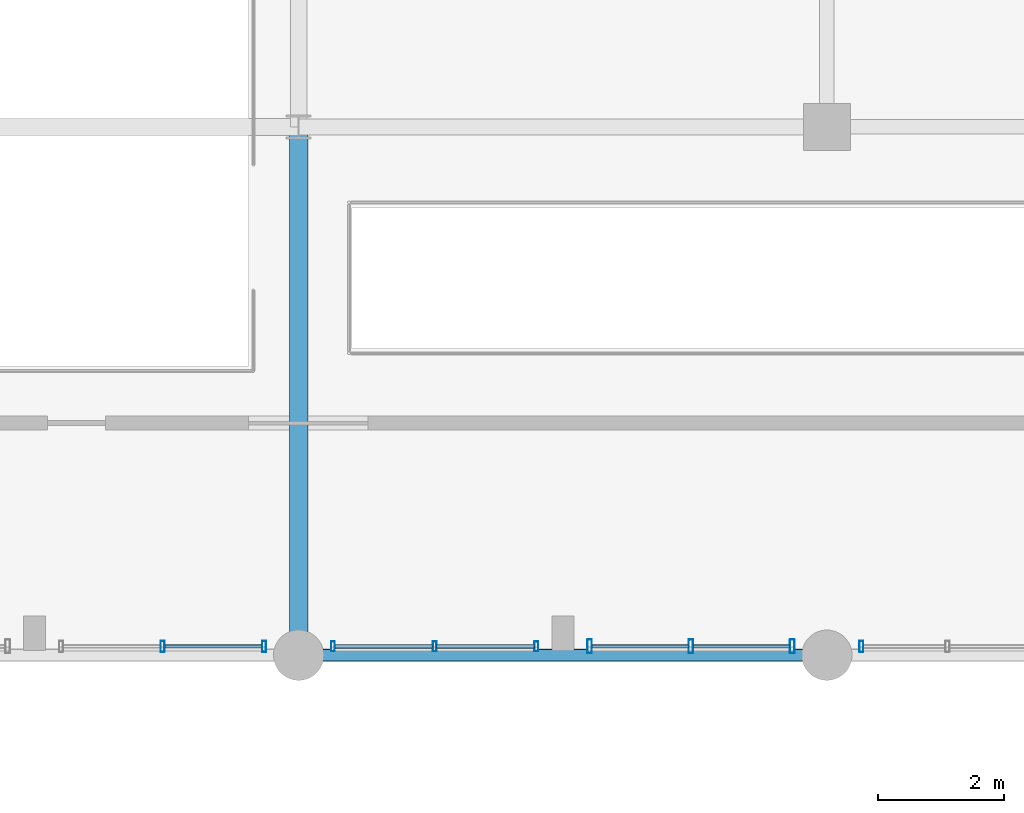
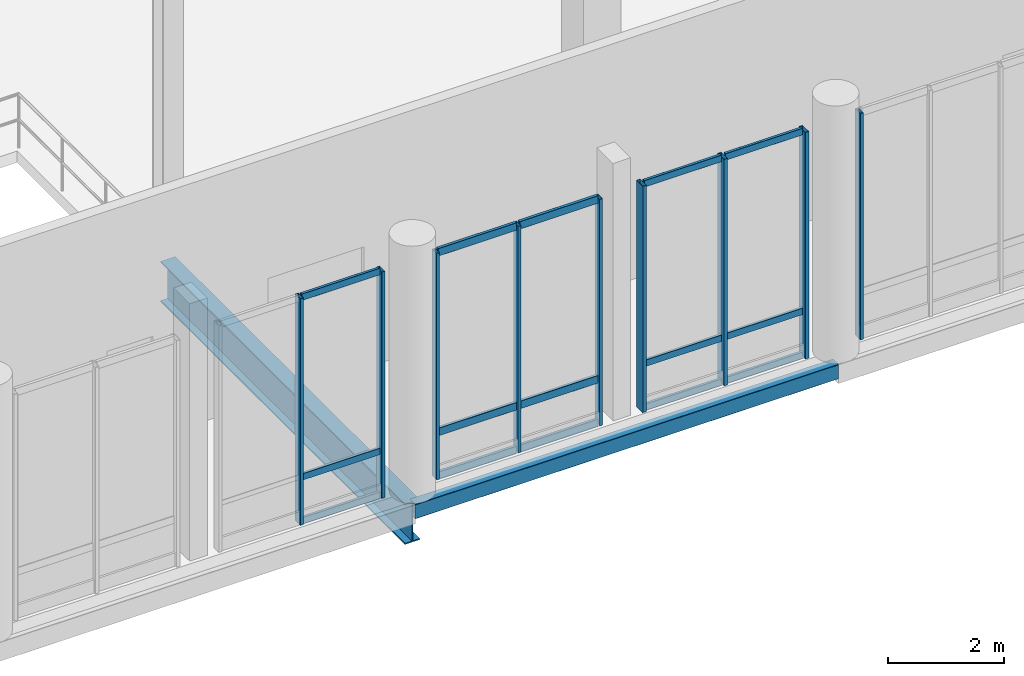
# One storey, part 55 of 128: 24 members, 2 beams, 4 elements without a shape of their own.
"""IFC4 building model written with IfcOpenShell, lengths in metres."""

from ifc_helpers import new_model, si_unit, direction, frame, origin_with_axes, origin_2d_with_axis, place, context, subcontext, project, spatial, hollow_rectangle, i_section, extrude, material, material_profile, profile_set, type_object, element, aggregate, save


model = new_model("IFC4")

# Units and contexts
model_context = context("Model", 3, precision=1e-05, world=origin_with_axes(), true_north=direction((0.0, 1.0)))
body_context = subcontext(model_context, "Body", "Model", "MODEL_VIEW")
ifc_project = project(units=[si_unit("LENGTHUNIT", "METRE"), si_unit("AREAUNIT", "SQUARE_METRE"), si_unit("VOLUMEUNIT", "CUBIC_METRE"), si_unit("PLANEANGLEUNIT", "RADIAN"), si_unit("MASSUNIT", "GRAM", prefix="KILO"), si_unit("THERMODYNAMICTEMPERATUREUNIT", "KELVIN")], contexts=[model_context])

# Site, building, storey
site_placement = place(None, origin_with_axes())
site = spatial("IfcSite", under=ifc_project, at=site_placement, CompositionType="ELEMENT")
building_placement = place(site_placement, origin_with_axes())
building = spatial("IfcBuilding", under=site, at=building_placement, Name="Montbau Bow Law Courts", CompositionType="ELEMENT")
storey_placement = place(building_placement, frame((0.0, 0.0, 5.4), z_axis=(0.0, 0.0, 1.0), x_axis=(1.0, 0.0, 0.0)))
storey = spatial("IfcBuildingStorey", under=building, at=storey_placement, Name="L01", CompositionType="ELEMENT", Elevation=5.4)

# Beams
ifc_material_1 = material(Name="Steel CSA G40.21 Grade 350W (350 MPa)", Category="steel")
ifc_material_profile_1 = material_profile(ifc_material_1, i_section(OverallWidth=0.293, OverallDepth=0.846, WebThickness=0.0154, FlangeThickness=0.0244, at=origin_2d_with_axis()), Name="W840X210", Category="Main", Priority=0)
ifc_profile_set_1 = profile_set([ifc_material_profile_1], Name="Steel CSA G40.21 Grade 350W (350 MPa)")
beam_type_1 = type_object("IfcBeamType", Name="B-FLR-02", PredefinedType="BEAM", material=ifc_profile_set_1)
beam_1_placement = place(None, frame((105.6, 22.2, 4.737), z_axis=(0.0, 1.0, 0.0), x_axis=(-1.0, 0.0, 0.0)))
element("IfcBeam", 1, at=beam_1_placement, inside=storey, type_object=beam_type_1, Name="BM-L01-S1093:bm2_1096", PredefinedType="BEAM", context=body_context, shape_type="SweptSolid", body=[
    extrude(i_section(OverallWidth=0.293, OverallDepth=0.846, WebThickness=0.0154, FlangeThickness=0.0244, at=origin_2d_with_axis()), origin_with_axes(), (0.0, 0.0, 1.0), 8.4),
])
ifc_material_2 = material(Name="Steel CSA G40.21 Grade 350WT (350 MPa)", Category="steel")
ifc_material_profile_2 = material_profile(ifc_material_2, hollow_rectangle(XDim=0.203, YDim=0.305, WallThickness=0.0127, InnerFilletRadius=0.0254, OuterFilletRadius=0.0127, at=origin_2d_with_axis()), Name="HSS305X203X13", Category="Main", Priority=0)
ifc_profile_set_2 = profile_set([ifc_material_profile_2], Name="Steel CSA G40.21 Grade 350WT (350 MPa)")
beam_type_2 = type_object("IfcBeamType", Name="B-SPN-02", PredefinedType="SPANDREL", material=ifc_profile_set_2)
beam_2_placement = place(None, frame((105.6, 22.2, 5.008), z_axis=(1.0, 0.0, 0.0), x_axis=(0.0, 1.0, 0.0)))
element("IfcBeam", 2, at=beam_2_placement, inside=storey, type_object=beam_type_2, Name="SPN-L01-S1068:bm2_1071", PredefinedType="SPANDREL", context=body_context, shape_type="SweptSolid", body=[
    extrude(hollow_rectangle(XDim=0.203, YDim=0.305, WallThickness=0.0127, InnerFilletRadius=0.0254, OuterFilletRadius=0.0127, at=origin_2d_with_axis()), origin_with_axes(), (0.0, 0.0, 1.0), 8.4),
])

# Curtain wall, members
ifc_material_3 = material(Name="Thermally Broken Extruded Aluminium AA 6063-T6", Category="aluminium")
curtain_wall_type_1 = type_object("IfcCurtainWallType", Name="CW-WGC-01", PredefinedType="NOTDEFINED", material=ifc_material_3)
curtain_wall_1_placement = place(None, frame((110.19, 22.34, 5.4), z_axis=(0.0, 0.0, 1.0), x_axis=(1.0, 0.0, 0.0)))
curtain_wall_1 = element("IfcCurtainWall", 3, at=curtain_wall_1_placement, inside=storey, type_object=curtain_wall_type_1, Name="CW-L01-411:cw_0411", PredefinedType="NOTDEFINED")
ifc_material_profile_3 = material_profile(ifc_material_3, hollow_rectangle(XDim=0.075, YDim=0.22, WallThickness=0.005, InnerFilletRadius=0.01, OuterFilletRadius=0.005, at=origin_2d_with_axis()), Name="CWM-220X75", Category="Main", Priority=0)
ifc_profile_set_3 = profile_set([ifc_material_profile_3], Name="Thermally Broken Extruded Aluminium AA 6063-T6")
member_type_1 = type_object("IfcMemberType", Name="M-MUL-01", PredefinedType="MULLION", material=ifc_profile_set_3)
member_1_placement = place(None, frame((110.227, 22.34, 5.4), z_axis=(0.0, 0.0, 1.0), x_axis=(1.0, 0.0, 0.0)))
member_1 = element("IfcMember", 4, at=member_1_placement, type_object=member_type_1, Name="CW-L01-411-M01:cw_0411_M01", PredefinedType="MULLION", context=body_context, shape_type="SweptSolid", body=[
    extrude(hollow_rectangle(XDim=0.075, YDim=0.22, WallThickness=0.005, InnerFilletRadius=0.01, OuterFilletRadius=0.005, at=origin_2d_with_axis()), origin_with_axes(), (0.0, 0.0, 1.0), 4.75),
])
member_2_placement = place(None, frame((111.838, 22.34, 5.4), z_axis=(0.0, 0.0, 1.0), x_axis=(1.0, 0.0, 0.0)))
member_2 = element("IfcMember", 5, at=member_2_placement, type_object=member_type_1, Name="CW-L01-411-M02:cw_0411_M02", PredefinedType="MULLION", context=body_context, shape_type="SweptSolid", body=[
    extrude(hollow_rectangle(XDim=0.075, YDim=0.22, WallThickness=0.005, InnerFilletRadius=0.01, OuterFilletRadius=0.005, at=origin_2d_with_axis()), origin_with_axes(), (0.0, 0.0, 1.0), 4.75),
])
member_3_placement = place(None, frame((113.448, 22.34, 5.4), z_axis=(0.0, 0.0, 1.0), x_axis=(1.0, 0.0, 0.0)))
member_3 = element("IfcMember", 6, at=member_3_placement, type_object=member_type_1, Name="CW-L01-411-M03:cw_0411_M03", PredefinedType="MULLION", context=body_context, shape_type="SweptSolid", body=[
    extrude(hollow_rectangle(XDim=0.075, YDim=0.22, WallThickness=0.005, InnerFilletRadius=0.01, OuterFilletRadius=0.005, at=origin_2d_with_axis()), origin_with_axes(), (0.0, 0.0, 1.0), 4.75),
])

curtain_wall_type_2 = type_object("IfcCurtainWallType", Name="CW-WGC-02", PredefinedType="NOTDEFINED", material=ifc_material_3)
curtain_wall_2_placement = place(None, frame((101.79, 22.34, 5.4), z_axis=(0.0, 0.0, 1.0), x_axis=(1.0, 0.0, 0.0)))
curtain_wall_2 = element("IfcCurtainWall", 7, at=curtain_wall_2_placement, inside=storey, type_object=curtain_wall_type_2, Name="CW-L01-409:cw_0409", PredefinedType="NOTDEFINED")
ifc_material_profile_4 = material_profile(ifc_material_3, hollow_rectangle(XDim=0.065, YDim=0.18, WallThickness=0.005, InnerFilletRadius=0.01, OuterFilletRadius=0.005, at=origin_2d_with_axis()), Name="CWM-180X65", Category="Main", Priority=0)
ifc_profile_set_4 = profile_set([ifc_material_profile_4], Name="Thermally Broken Extruded Aluminium AA 6063-T6")
member_type_2 = type_object("IfcMemberType", Name="M-MUL-02", PredefinedType="MULLION", material=ifc_profile_set_4)
member_4_placement = place(None, frame((103.437, 22.34, 5.4), z_axis=(0.0, 0.0, 1.0), x_axis=(1.0, 0.0, 0.0)))
member_4 = element("IfcMember", 8, at=member_4_placement, type_object=member_type_2, Name="CW-L01-409-M02:cw_0409_M02", PredefinedType="MULLION", context=body_context, shape_type="SweptSolid", body=[
    extrude(hollow_rectangle(XDim=0.065, YDim=0.18, WallThickness=0.005, InnerFilletRadius=0.01, OuterFilletRadius=0.005, at=origin_2d_with_axis()), origin_with_axes(), (0.0, 0.0, 1.0), 4.75),
])
member_5_placement = place(None, frame((105.052, 22.34, 5.4), z_axis=(0.0, 0.0, 1.0), x_axis=(1.0, 0.0, 0.0)))
member_5 = element("IfcMember", 9, at=member_5_placement, type_object=member_type_2, Name="CW-L01-409-M03:cw_0409_M03", PredefinedType="MULLION", context=body_context, shape_type="SweptSolid", body=[
    extrude(hollow_rectangle(XDim=0.065, YDim=0.18, WallThickness=0.005, InnerFilletRadius=0.01, OuterFilletRadius=0.005, at=origin_2d_with_axis()), origin_with_axes(), (0.0, 0.0, 1.0), 4.75),
])

# Curtain wall, member
curtain_wall_3_placement = place(None, frame((114.515, 22.34, 5.4), z_axis=(0.0, 0.0, 1.0), x_axis=(1.0, 0.0, 0.0)))
curtain_wall_3 = element("IfcCurtainWall", 10, at=curtain_wall_3_placement, inside=storey, type_object=curtain_wall_type_1, Name="CW-L01-412:cw_0412", PredefinedType="NOTDEFINED")
member_6_placement = place(None, frame((114.548, 22.34, 5.4), z_axis=(0.0, 0.0, 1.0), x_axis=(1.0, 0.0, 0.0)))
member_6 = element("IfcMember", 11, at=member_6_placement, type_object=member_type_2, Name="CW-L01-412-M01:cw_0412_M01", PredefinedType="MULLION", context=body_context, shape_type="SweptSolid", body=[
    extrude(hollow_rectangle(XDim=0.065, YDim=0.18, WallThickness=0.005, InnerFilletRadius=0.01, OuterFilletRadius=0.005, at=origin_2d_with_axis()), origin_with_axes(), (0.0, 0.0, 1.0), 4.75),
])
aggregate(curtain_wall_3, [member_6])

# Curtain wall, members
curtain_wall_4_placement = place(None, frame((106.115, 22.34, 5.4), z_axis=(0.0, 0.0, 1.0), x_axis=(1.0, 0.0, 0.0)))
curtain_wall_4 = element("IfcCurtainWall", 12, at=curtain_wall_4_placement, inside=storey, type_object=curtain_wall_type_1, Name="CW-L01-410:cw_0410", PredefinedType="NOTDEFINED")
ifc_material_profile_5 = material_profile(ifc_material_3, hollow_rectangle(XDim=0.06, YDim=0.16, WallThickness=0.004, InnerFilletRadius=0.008, OuterFilletRadius=0.004, at=origin_2d_with_axis()), Name="CWM-160X60", Category="Main", Priority=0)
ifc_profile_set_5 = profile_set([ifc_material_profile_5], Name="Thermally Broken Extruded Aluminium AA 6063-T6")
member_type_3 = type_object("IfcMemberType", Name="M-MUL-03", PredefinedType="MULLION", material=ifc_profile_set_5)
member_7_placement = place(None, frame((106.145, 22.34, 5.4), z_axis=(0.0, 0.0, 1.0), x_axis=(1.0, 0.0, 0.0)))
member_7 = element("IfcMember", 13, at=member_7_placement, type_object=member_type_3, Name="CW-L01-410-M01:cw_0410_M01", PredefinedType="MULLION", context=body_context, shape_type="SweptSolid", body=[
    extrude(hollow_rectangle(XDim=0.06, YDim=0.16, WallThickness=0.004, InnerFilletRadius=0.008, OuterFilletRadius=0.004, at=origin_2d_with_axis()), origin_with_axes(), (0.0, 0.0, 1.0), 4.75),
])
member_8_placement = place(None, frame((107.763, 22.34, 5.4), z_axis=(0.0, 0.0, 1.0), x_axis=(1.0, 0.0, 0.0)))
member_8 = element("IfcMember", 14, at=member_8_placement, type_object=member_type_3, Name="CW-L01-410-M02:cw_0410_M02", PredefinedType="MULLION", context=body_context, shape_type="SweptSolid", body=[
    extrude(hollow_rectangle(XDim=0.06, YDim=0.16, WallThickness=0.004, InnerFilletRadius=0.008, OuterFilletRadius=0.004, at=origin_2d_with_axis()), origin_with_axes(), (0.0, 0.0, 1.0), 4.75),
])
member_9_placement = place(None, frame((109.38, 22.34, 5.4), z_axis=(0.0, 0.0, 1.0), x_axis=(1.0, 0.0, 0.0)))
member_9 = element("IfcMember", 15, at=member_9_placement, type_object=member_type_3, Name="CW-L01-410-M03:cw_0410_M03", PredefinedType="MULLION", context=body_context, shape_type="SweptSolid", body=[
    extrude(hollow_rectangle(XDim=0.06, YDim=0.16, WallThickness=0.004, InnerFilletRadius=0.008, OuterFilletRadius=0.004, at=origin_2d_with_axis()), origin_with_axes(), (0.0, 0.0, 1.0), 4.75),
])
ifc_material_profile_6 = material_profile(ifc_material_3, hollow_rectangle(XDim=0.06, YDim=0.16, WallThickness=0.004, InnerFilletRadius=0.008, OuterFilletRadius=0.004, at=origin_2d_with_axis()), Name="CWT-160X60", Category="Main", Priority=0)
ifc_profile_set_6 = profile_set([ifc_material_profile_6], Name="Thermally Broken Extruded Aluminium AA 6063-T6")
member_type_4 = type_object("IfcMemberType", Name="M-TRN-01", PredefinedType="USERDEFINED", material=ifc_profile_set_6)
member_10_placement = place(None, frame((106.177, 22.34, 5.43), z_axis=(1.0, 0.0, 0.0), x_axis=(0.0, 1.0, 0.0)))
member_10 = element("IfcMember", 16, at=member_10_placement, type_object=member_type_4, Name="CW-L01-410-T01-1:cw_0410_T01_1", ObjectType="TRANSOM", PredefinedType="USERDEFINED", context=body_context, shape_type="SweptSolid", body=[
    extrude(hollow_rectangle(XDim=0.06, YDim=0.16, WallThickness=0.004, InnerFilletRadius=0.008, OuterFilletRadius=0.004, at=origin_2d_with_axis()), origin_with_axes(), (0.0, 0.0, 1.0), 1.554),
])
member_11_placement = place(None, frame((106.177, 22.34, 6.35), z_axis=(1.0, 0.0, 0.0), x_axis=(0.0, 1.0, 0.0)))
member_11 = element("IfcMember", 17, at=member_11_placement, type_object=member_type_4, Name="CW-L01-410-T01-2:cw_0410_T01_2", ObjectType="TRANSOM", PredefinedType="USERDEFINED", context=body_context, shape_type="SweptSolid", body=[
    extrude(hollow_rectangle(XDim=0.06, YDim=0.16, WallThickness=0.004, InnerFilletRadius=0.008, OuterFilletRadius=0.004, at=origin_2d_with_axis()), origin_with_axes(), (0.0, 0.0, 1.0), 1.554),
])
member_12_placement = place(None, frame((106.177, 22.34, 10.12), z_axis=(1.0, 0.0, 0.0), x_axis=(0.0, 1.0, 0.0)))
member_12 = element("IfcMember", 18, at=member_12_placement, type_object=member_type_4, Name="CW-L01-410-T01-3:cw_0410_T01_3", ObjectType="TRANSOM", PredefinedType="USERDEFINED", context=body_context, shape_type="SweptSolid", body=[
    extrude(hollow_rectangle(XDim=0.06, YDim=0.16, WallThickness=0.004, InnerFilletRadius=0.008, OuterFilletRadius=0.004, at=origin_2d_with_axis()), origin_with_axes(), (0.0, 0.0, 1.0), 1.554),
])
member_13_placement = place(None, frame((107.795, 22.34, 5.43), z_axis=(1.0, 0.0, 0.0), x_axis=(0.0, 1.0, 0.0)))
member_13 = element("IfcMember", 19, at=member_13_placement, type_object=member_type_4, Name="CW-L01-410-T02-1:cw_0410_T02_1", ObjectType="TRANSOM", PredefinedType="USERDEFINED", context=body_context, shape_type="SweptSolid", body=[
    extrude(hollow_rectangle(XDim=0.06, YDim=0.16, WallThickness=0.004, InnerFilletRadius=0.008, OuterFilletRadius=0.004, at=origin_2d_with_axis()), origin_with_axes(), (0.0, 0.0, 1.0), 1.553),
])
member_14_placement = place(None, frame((107.795, 22.34, 6.35), z_axis=(1.0, 0.0, 0.0), x_axis=(0.0, 1.0, 0.0)))
member_14 = element("IfcMember", 20, at=member_14_placement, type_object=member_type_4, Name="CW-L01-410-T02-2:cw_0410_T02_2", ObjectType="TRANSOM", PredefinedType="USERDEFINED", context=body_context, shape_type="SweptSolid", body=[
    extrude(hollow_rectangle(XDim=0.06, YDim=0.16, WallThickness=0.004, InnerFilletRadius=0.008, OuterFilletRadius=0.004, at=origin_2d_with_axis()), origin_with_axes(), (0.0, 0.0, 1.0), 1.553),
])
member_15_placement = place(None, frame((107.795, 22.34, 10.12), z_axis=(1.0, 0.0, 0.0), x_axis=(0.0, 1.0, 0.0)))
member_15 = element("IfcMember", 21, at=member_15_placement, type_object=member_type_4, Name="CW-L01-410-T02-3:cw_0410_T02_3", ObjectType="TRANSOM", PredefinedType="USERDEFINED", context=body_context, shape_type="SweptSolid", body=[
    extrude(hollow_rectangle(XDim=0.06, YDim=0.16, WallThickness=0.004, InnerFilletRadius=0.008, OuterFilletRadius=0.004, at=origin_2d_with_axis()), origin_with_axes(), (0.0, 0.0, 1.0), 1.553),
])
aggregate(curtain_wall_4, [member_7, member_8, member_9, member_10, member_11, member_12, member_13, member_14, member_15])

# Member
ifc_material_profile_7 = material_profile(ifc_material_3, hollow_rectangle(XDim=0.055, YDim=0.14, WallThickness=0.004, InnerFilletRadius=0.008, OuterFilletRadius=0.004, at=origin_2d_with_axis()), Name="CWT-140X55", Category="Main", Priority=0)
ifc_profile_set_7 = profile_set([ifc_material_profile_7], Name="Thermally Broken Extruded Aluminium AA 6063-T6")
member_type_5 = type_object("IfcMemberType", Name="M-TRN-02", PredefinedType="USERDEFINED", material=ifc_profile_set_7)
member_16_placement = place(None, frame((103.471, 22.34, 5.428), z_axis=(1.0, 0.0, 0.0), x_axis=(0.0, 1.0, 0.0)))
member_16 = element("IfcMember", 22, at=member_16_placement, type_object=member_type_5, Name="CW-L01-409-T02-1:cw_0409_T02_1", ObjectType="TRANSOM", PredefinedType="USERDEFINED", context=body_context, shape_type="SweptSolid", body=[
    extrude(hollow_rectangle(XDim=0.055, YDim=0.14, WallThickness=0.004, InnerFilletRadius=0.008, OuterFilletRadius=0.004, at=origin_2d_with_axis()), origin_with_axes(), (0.0, 0.0, 1.0), 1.547),
])

member_17_placement = place(None, frame((103.471, 22.34, 6.35), z_axis=(1.0, 0.0, 0.0), x_axis=(0.0, 1.0, 0.0)))
member_17 = element("IfcMember", 23, at=member_17_placement, type_object=member_type_5, Name="CW-L01-409-T02-2:cw_0409_T02_2", ObjectType="TRANSOM", PredefinedType="USERDEFINED", context=body_context, shape_type="SweptSolid", body=[
    extrude(hollow_rectangle(XDim=0.055, YDim=0.14, WallThickness=0.004, InnerFilletRadius=0.008, OuterFilletRadius=0.004, at=origin_2d_with_axis()), origin_with_axes(), (0.0, 0.0, 1.0), 1.547),
])

member_18_placement = place(None, frame((103.471, 22.34, 10.123), z_axis=(1.0, 0.0, 0.0), x_axis=(0.0, 1.0, 0.0)))
member_18 = element("IfcMember", 24, at=member_18_placement, type_object=member_type_5, Name="CW-L01-409-T02-3:cw_0409_T02_3", ObjectType="TRANSOM", PredefinedType="USERDEFINED", context=body_context, shape_type="SweptSolid", body=[
    extrude(hollow_rectangle(XDim=0.055, YDim=0.14, WallThickness=0.004, InnerFilletRadius=0.008, OuterFilletRadius=0.004, at=origin_2d_with_axis()), origin_with_axes(), (0.0, 0.0, 1.0), 1.547),
])

aggregate(curtain_wall_2, [member_4, member_5, member_16, member_17, member_18])

member_19_placement = place(None, frame((110.266, 22.34, 5.428), z_axis=(1.0, 0.0, 0.0), x_axis=(0.0, 1.0, 0.0)))
member_19 = element("IfcMember", 25, at=member_19_placement, type_object=member_type_5, Name="CW-L01-411-T01-1:cw_0411_T01_1", ObjectType="TRANSOM", PredefinedType="USERDEFINED", context=body_context, shape_type="SweptSolid", body=[
    extrude(hollow_rectangle(XDim=0.055, YDim=0.14, WallThickness=0.004, InnerFilletRadius=0.008, OuterFilletRadius=0.004, at=origin_2d_with_axis()), origin_with_axes(), (0.0, 0.0, 1.0), 1.532),
])

member_20_placement = place(None, frame((110.266, 22.34, 6.35), z_axis=(1.0, 0.0, 0.0), x_axis=(0.0, 1.0, 0.0)))
member_20 = element("IfcMember", 26, at=member_20_placement, type_object=member_type_5, Name="CW-L01-411-T01-2:cw_0411_T01_2", ObjectType="TRANSOM", PredefinedType="USERDEFINED", context=body_context, shape_type="SweptSolid", body=[
    extrude(hollow_rectangle(XDim=0.055, YDim=0.14, WallThickness=0.004, InnerFilletRadius=0.008, OuterFilletRadius=0.004, at=origin_2d_with_axis()), origin_with_axes(), (0.0, 0.0, 1.0), 1.532),
])

member_21_placement = place(None, frame((110.266, 22.34, 10.123), z_axis=(1.0, 0.0, 0.0), x_axis=(0.0, 1.0, 0.0)))
member_21 = element("IfcMember", 27, at=member_21_placement, type_object=member_type_5, Name="CW-L01-411-T01-3:cw_0411_T01_3", ObjectType="TRANSOM", PredefinedType="USERDEFINED", context=body_context, shape_type="SweptSolid", body=[
    extrude(hollow_rectangle(XDim=0.055, YDim=0.14, WallThickness=0.004, InnerFilletRadius=0.008, OuterFilletRadius=0.004, at=origin_2d_with_axis()), origin_with_axes(), (0.0, 0.0, 1.0), 1.532),
])

member_22_placement = place(None, frame((111.878, 22.34, 5.428), z_axis=(1.0, 0.0, 0.0), x_axis=(0.0, 1.0, 0.0)))
member_22 = element("IfcMember", 28, at=member_22_placement, type_object=member_type_5, Name="CW-L01-411-T02-1:cw_0411_T02_1", ObjectType="TRANSOM", PredefinedType="USERDEFINED", context=body_context, shape_type="SweptSolid", body=[
    extrude(hollow_rectangle(XDim=0.055, YDim=0.14, WallThickness=0.004, InnerFilletRadius=0.008, OuterFilletRadius=0.004, at=origin_2d_with_axis()), origin_with_axes(), (0.0, 0.0, 1.0), 1.531),
])

member_23_placement = place(None, frame((111.878, 22.34, 6.35), z_axis=(1.0, 0.0, 0.0), x_axis=(0.0, 1.0, 0.0)))
member_23 = element("IfcMember", 29, at=member_23_placement, type_object=member_type_5, Name="CW-L01-411-T02-2:cw_0411_T02_2", ObjectType="TRANSOM", PredefinedType="USERDEFINED", context=body_context, shape_type="SweptSolid", body=[
    extrude(hollow_rectangle(XDim=0.055, YDim=0.14, WallThickness=0.004, InnerFilletRadius=0.008, OuterFilletRadius=0.004, at=origin_2d_with_axis()), origin_with_axes(), (0.0, 0.0, 1.0), 1.531),
])

member_24_placement = place(None, frame((111.878, 22.34, 10.123), z_axis=(1.0, 0.0, 0.0), x_axis=(0.0, 1.0, 0.0)))
member_24 = element("IfcMember", 30, at=member_24_placement, type_object=member_type_5, Name="CW-L01-411-T02-3:cw_0411_T02_3", ObjectType="TRANSOM", PredefinedType="USERDEFINED", context=body_context, shape_type="SweptSolid", body=[
    extrude(hollow_rectangle(XDim=0.055, YDim=0.14, WallThickness=0.004, InnerFilletRadius=0.008, OuterFilletRadius=0.004, at=origin_2d_with_axis()), origin_with_axes(), (0.0, 0.0, 1.0), 1.531),
])

aggregate(curtain_wall_1, [member_1, member_2, member_3, member_19, member_20, member_21, member_22, member_23, member_24])

save(model, "model.ifc")
